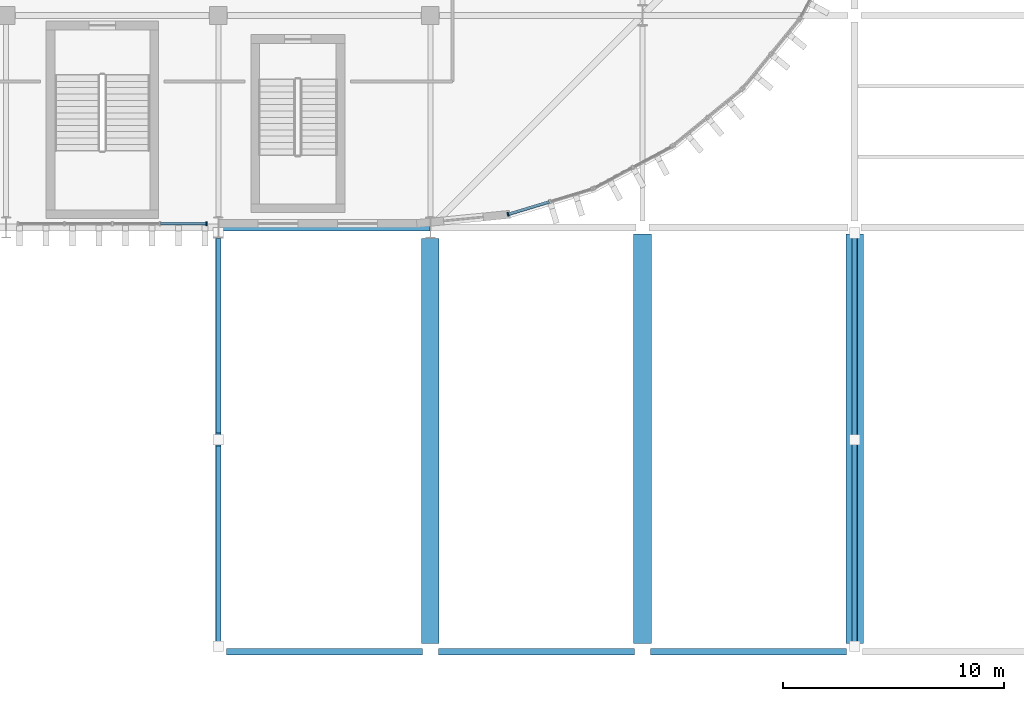
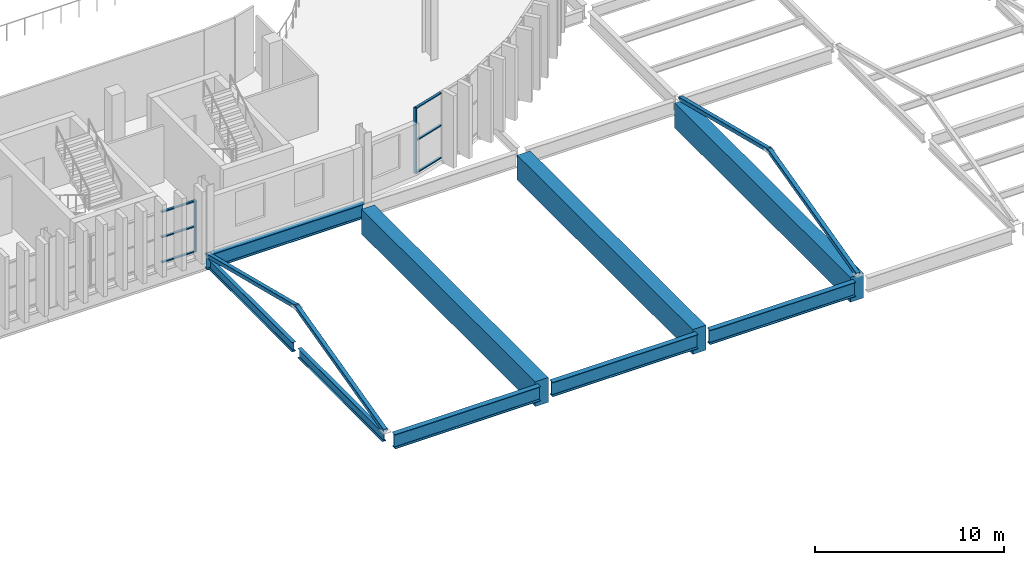
# One storey, part 17 of 75: 13 beams, 8 members, 2 elements without a shape of their own.
"""IFC4 building model written with IfcOpenShell, lengths in metres."""

from ifc_helpers import new_model, si_unit, direction, frame, origin, origin_2d, place, context, subcontext, project, spatial, rectangle, hollow_rectangle, i_section, extrude, material, layer, layer_set, material_profile, profile_set, type_object, element, aggregate, save


model = new_model("IFC4")

# Units and contexts
model_context = context("Model", 3, precision=1e-05, world=origin(), true_north=direction((0.0, 1.0)))
body_context = subcontext(model_context, "Body", "Model", "MODEL_VIEW")
ifc_project = project(units=[si_unit("LENGTHUNIT", "METRE"), si_unit("AREAUNIT", "SQUARE_METRE"), si_unit("VOLUMEUNIT", "CUBIC_METRE"), si_unit("PLANEANGLEUNIT", "RADIAN"), si_unit("MASSUNIT", "GRAM", prefix="KILO")], contexts=[model_context])

# Site, building, storey
site_placement = place(None, origin())
site = spatial("IfcSite", under=ifc_project, at=site_placement, CompositionType="ELEMENT")
building_placement = place(site_placement, origin())
building = spatial("IfcBuilding", under=site, at=building_placement, Name="Caelomonte Colonnade Arena", CompositionType="ELEMENT")
storey_placement = place(building_placement, frame((0.0, 0.0, 14.10009765625)))
storey = spatial("IfcBuildingStorey", under=building, at=storey_placement, Name="L03", CompositionType="ELEMENT", Elevation=14.10009765625)

# Curtain wall, member
ifc_material_1 = material(Name="Bronze anodised aluminium and low-E glazing", Category="aluminium")
ifc_layer_1 = layer(ifc_material_1, 0.179931640625)
ifc_layer_set_1 = layer_set([ifc_layer_1], Name="Bronze anodised aluminium and low-E glazing")
curtain_wall_type_1 = type_object("IfcCurtainWallType", Name="ENV-CW-CW-L03-96-33", PredefinedType="USERDEFINED", material=ifc_layer_set_1)
curtain_wall_1_placement = place(storey_placement, origin())
curtain_wall_1 = element("IfcCurtainWall", 1, at=curtain_wall_1_placement, inside=storey, type_object=curtain_wall_type_1, Name="L03 unitized curtain wall CW-L03-1296-0194", ObjectType="UNITIZED CURTAIN WALL", PredefinedType="USERDEFINED")
ifc_material_2 = material(Name="Bronze anodised aluminium AA6063-T6", Category="aluminium")
ifc_material_profile_1 = material_profile(ifc_material_2, rectangle(XDim=0.070068359375, YDim=0.179931640625, at=origin_2d()), Name="CWM-70X180")
ifc_profile_set_1 = profile_set([ifc_material_profile_1], Name="Bronze anodised aluminium AA6063-T6")
member_type_1 = type_object("IfcMemberType", Name="ENV-CW-MULL1", PredefinedType="MULLION", material=ifc_profile_set_1)
member_1_placement = place(storey_placement, frame((133.871337890625, 19.3798828125, 0.0), z_axis=(0.0, 0.0, 1.0), x_axis=(1.0, 0.0, 0.0)))
member_1 = element("IfcMember", 2, at=member_1_placement, type_object=member_type_1, Name="CW-L03-96-33 mullion 5", PredefinedType="MULLION", context=body_context, shape_type="SweptSolid", body=[
    extrude(rectangle(XDim=0.070068359375, YDim=0.179931640625, at=origin_2d()), origin(), (0.0, 0.0, 1.0), 3.312744140625),
])

ifc_layer_2 = layer(ifc_material_1, 0.179931640625)
ifc_layer_set_2 = layer_set([ifc_layer_2], Name="Bronze anodised aluminium and low-E glazing")
curtain_wall_type_2 = type_object("IfcCurtainWallType", Name="ENV-CW-CW-L03-44-42", PredefinedType="USERDEFINED", material=ifc_layer_set_2)
curtain_wall_2_placement = place(storey_placement, origin())
curtain_wall_2 = element("IfcCurtainWall", 3, at=curtain_wall_2_placement, inside=storey, type_object=curtain_wall_type_2, Name="L03 unitized curtain wall CW-L03-1494-0204", ObjectType="UNITIZED CURTAIN WALL", PredefinedType="USERDEFINED")
member_2_placement = place(storey_placement, frame((147.516357421875, 19.797607421875, 0.0), z_axis=(0.0, 0.0, 1.0), x_axis=(0.956949160999, 0.290255582655, 0.0)))
member_2 = element("IfcMember", 4, at=member_2_placement, type_object=member_type_1, Name="CW-L03-44-42 mullion 1", PredefinedType="MULLION", context=body_context, shape_type="SweptSolid", body=[
    extrude(rectangle(XDim=0.070068359375, YDim=0.179931640625, at=origin_2d()), origin(), (0.0, 0.0, 1.0), 4.239990234375),
])

# Member
ifc_material_profile_2 = material_profile(ifc_material_2, rectangle(XDim=0.070068359375, YDim=0.139892578125, at=origin_2d()), Name="CWT-70X140")
ifc_profile_set_2 = profile_set([ifc_material_profile_2], Name="Bronze anodised aluminium AA6063-T6")
member_type_2 = type_object("IfcMemberType", Name="ENV-CW-TRAN1", PredefinedType="USERDEFINED", material=ifc_profile_set_2)
member_3_placement = place(storey_placement, frame((131.7880859375, 19.3798828125, 0.034912109375), z_axis=(1.0, 0.0, 0.0), x_axis=(0.0, 0.0, 1.0)))
member_3 = element("IfcMember", 5, at=member_3_placement, type_object=member_type_2, Name="CW-L03-96-33 transom 4.1", ObjectType="TRANSOM", PredefinedType="USERDEFINED", context=body_context, shape_type="SweptSolid", body=[
    extrude(rectangle(XDim=0.070068359375, YDim=0.139892578125, at=origin_2d()), origin(), (0.0, 0.0, 1.0), 2.048095703125),
])

member_4_placement = place(storey_placement, frame((131.7880859375, 19.3798828125, 1.65625), z_axis=(1.0, 0.0, 0.0), x_axis=(0.0, 0.0, 1.0)))
member_4 = element("IfcMember", 6, at=member_4_placement, type_object=member_type_2, Name="CW-L03-96-33 transom 4.2", ObjectType="TRANSOM", PredefinedType="USERDEFINED", context=body_context, shape_type="SweptSolid", body=[
    extrude(rectangle(XDim=0.070068359375, YDim=0.139892578125, at=origin_2d()), origin(), (0.0, 0.0, 1.0), 2.048095703125),
])

member_5_placement = place(storey_placement, frame((131.7880859375, 19.3798828125, 3.277587890625), z_axis=(1.0, 0.0, 0.0), x_axis=(0.0, 0.0, 1.0)))
member_5 = element("IfcMember", 7, at=member_5_placement, type_object=member_type_2, Name="CW-L03-96-33 transom 4.3", ObjectType="TRANSOM", PredefinedType="USERDEFINED", context=body_context, shape_type="SweptSolid", body=[
    extrude(rectangle(XDim=0.070068359375, YDim=0.139892578125, at=origin_2d()), origin(), (0.0, 0.0, 1.0), 2.048095703125),
])

aggregate(curtain_wall_1, [member_1, member_3, member_4, member_5])

member_6_placement = place(storey_placement, frame((147.5498046875, 19.8076171875, 0.034912109375), z_axis=(0.956943884494, 0.290272978297, 0.0), x_axis=(0.0, 0.0, 1.0)))
member_6 = element("IfcMember", 8, at=member_6_placement, type_object=member_type_2, Name="CW-L03-44-42 transom 1.1", ObjectType="TRANSOM", PredefinedType="USERDEFINED", context=body_context, shape_type="SweptSolid", body=[
    extrude(rectangle(XDim=0.070068359375, YDim=0.139892578125, at=origin_2d()), origin(), (0.0, 0.0, 1.0), 1.913330078125),
])

member_7_placement = place(storey_placement, frame((147.5498046875, 19.8076171875, 2.119873046875), z_axis=(0.956943884494, 0.290272978297, 0.0), x_axis=(0.0, 0.0, 1.0)))
member_7 = element("IfcMember", 9, at=member_7_placement, type_object=member_type_2, Name="CW-L03-44-42 transom 1.2", ObjectType="TRANSOM", PredefinedType="USERDEFINED", context=body_context, shape_type="SweptSolid", body=[
    extrude(rectangle(XDim=0.070068359375, YDim=0.139892578125, at=origin_2d()), origin(), (0.0, 0.0, 1.0), 1.913330078125),
])

member_8_placement = place(storey_placement, frame((147.5498046875, 19.8076171875, 4.204833984375), z_axis=(0.956943884494, 0.290272978297, 0.0), x_axis=(0.0, 0.0, 1.0)))
member_8 = element("IfcMember", 10, at=member_8_placement, type_object=member_type_2, Name="CW-L03-44-42 transom 1.3", ObjectType="TRANSOM", PredefinedType="USERDEFINED", context=body_context, shape_type="SweptSolid", body=[
    extrude(rectangle(XDim=0.070068359375, YDim=0.139892578125, at=origin_2d()), origin(), (0.0, 0.0, 1.0), 1.913330078125),
])

aggregate(curtain_wall_2, [member_2, member_6, member_7, member_8])

# Beams
ifc_material_3 = material(Name="Wide-flange steel ASTM A992 Grade 50", Category="steel")
ifc_material_profile_3 = material_profile(ifc_material_3, i_section(OverallWidth=0.307861328125, OverallDepth=0.927001953125, WebThickness=0.019287109375, FlangeThickness=0.031982421875, FilletRadius=0.020263671875, at=origin_2d()), Name="W36X194")
ifc_profile_set_3 = profile_set([ifc_material_profile_3], Name="Wide-flange steel ASTM A992 Grade 50")
beam_type_1 = type_object("IfcBeamType", Name="STR-BM-EAVES2", PredefinedType="SPANDREL", material=ifc_profile_set_3)
for number, where, z_axis, x_axis, name in (
    (11, (134.76708984375, 0.0, -0.74365234375), (1.0, 0.0, 0.0), (0.0, 1.0, 0.0), "L03 girder BMX-L03-1344-0000"),
    (12, (144.366943359375, 0.0, -0.74365234375), (1.0, 0.0, 0.0), (0.0, 1.0, 0.0), "L03 girder BMX-L03-1440-0000"),
    (13, (153.967041015625, 0.0, -0.74365234375), (1.0, 0.0, 0.0), (0.0, 1.0, 0.0), "L03 girder BMX-L03-1536-0000"),
):
    element("IfcBeam", number, at=place(storey_placement, frame(where, z_axis=z_axis, x_axis=x_axis)), inside=storey, type_object=beam_type_1, Name=name, PredefinedType="SPANDREL", context=body_context, shape_type="SweptSolid", body=[
        extrude(i_section(OverallWidth=0.307861328125, OverallDepth=0.927001953125, WebThickness=0.019287109375, FlangeThickness=0.031982421875, FilletRadius=0.020263671875, at=origin_2d()), origin(), (0.0, 0.0, 1.0), 8.865966796875),
    ])
beam_1_placement = place(storey_placement, frame((134.411865234375, 19.199951171875, -0.74365234375), z_axis=(1.0, 0.0, 0.0), x_axis=(0.0, 1.0, 0.0)))
element("IfcBeam", 14, at=beam_1_placement, inside=storey, type_object=beam_type_1, Name="L03 girder BMX-L03-1344-0192", PredefinedType="SPANDREL", context=body_context, shape_type="SweptSolid", body=[
    extrude(i_section(OverallWidth=0.307861328125, OverallDepth=0.927001953125, WebThickness=0.019287109375, FlangeThickness=0.031982421875, FilletRadius=0.020263671875, at=origin_2d()), origin(), (0.0, 0.0, 1.0), 9.576416015625),
])
ifc_material_profile_4 = material_profile(ifc_material_3, i_section(OverallWidth=0.228271484375, OverallDepth=0.607177734375, WebThickness=0.01123046875, FlangeThickness=0.017333984375, FilletRadius=0.0126953125, at=origin_2d()), Name="W24X76")
ifc_profile_set_4 = profile_set([ifc_material_profile_4], Name="Wide-flange steel ASTM A992 Grade 50")
beam_type_2 = type_object("IfcBeamType", Name="STR-BM-GIRD24", PredefinedType="BEAM", material=ifc_profile_set_4)
beam_2_placement = place(storey_placement, frame((134.39990234375, 0.366943359375, -0.58349609375), z_axis=(0.0, 1.0, 0.0), x_axis=(-1.0, 0.0, 0.0)))
element("IfcBeam", 15, at=beam_2_placement, inside=storey, type_object=beam_type_2, Name="L03 girder BMY-L03-1344-0000", PredefinedType="BEAM", context=body_context, shape_type="SweptSolid", body=[
    extrude(i_section(OverallWidth=0.228271484375, OverallDepth=0.607177734375, WebThickness=0.01123046875, FlangeThickness=0.017333984375, FilletRadius=0.0126953125, at=origin_2d()), origin(), (0.0, 0.0, 1.0), 8.941162109375),
])
beam_3_placement = place(storey_placement, frame((134.39990234375, 9.89208984375, -0.58349609375), z_axis=(0.0, 1.0, 0.0), x_axis=(-1.0, 0.0, 0.0)))
element("IfcBeam", 16, at=beam_3_placement, inside=storey, type_object=beam_type_2, Name="L03 girder BMY-L03-1344-0096", PredefinedType="BEAM", context=body_context, shape_type="SweptSolid", body=[
    extrude(i_section(OverallWidth=0.228271484375, OverallDepth=0.607177734375, WebThickness=0.01123046875, FlangeThickness=0.017333984375, FilletRadius=0.0126953125, at=origin_2d()), origin(), (0.0, 0.0, 1.0), 8.810302734375),
])
ifc_material_4 = material(Name="Steel ASTM A500 Grade C", Category="steel")
ifc_material_profile_5 = material_profile(ifc_material_4, hollow_rectangle(XDim=0.25390625, YDim=0.25390625, WallThickness=0.009521484375, InnerFilletRadius=0.009521484375, OuterFilletRadius=0.01904296875, at=origin_2d()), Name="HSS254X254X9.5")
ifc_profile_set_5 = profile_set([ifc_material_profile_5], Name="Steel ASTM A500 Grade C")
beam_type_3 = type_object("IfcBeamType", Name="STR-BM-PED1", PredefinedType="BEAM", material=ifc_profile_set_5)
for number, where, z_axis, x_axis, name in (
    (17, (134.39990234375, 0.251953125, -0.149658203125), (0.0, 0.969834734998, 0.243763382795), (-1.0, 0.0, 0.0), "Pediment rafter beam S-134"),
    (18, (134.39990234375, 18.947998046875, -0.149658203125), (0.0, -0.969834734998, 0.243763382795), (1.0, 0.0, 0.0), "Pediment rafter beam N-134"),
    (19, (163.199951171875, 0.251953125, -0.149658203125), (0.0, 0.969834734998, 0.243763382795), (-1.0, 0.0, 0.0), "Pediment rafter beam S-163"),
    (20, (163.199951171875, 18.947998046875, -0.149658203125), (0.0, -0.969834734998, 0.243763382795), (1.0, 0.0, 0.0), "Pediment rafter beam N-163"),
):
    element("IfcBeam", number, at=place(storey_placement, frame(where, z_axis=z_axis, x_axis=x_axis)), inside=storey, type_object=beam_type_3, Name=name, PredefinedType="BEAM", context=body_context, shape_type="SweptSolid", body=[
        extrude(hollow_rectangle(XDim=0.25390625, YDim=0.25390625, WallThickness=0.009521484375, InnerFilletRadius=0.009521484375, OuterFilletRadius=0.01904296875, at=origin_2d()), origin(), (0.0, 0.0, 1.0), 9.636962890625),
    ])
ifc_material_5 = material(Name="Concrete C50/60", Category="concrete")
ifc_material_profile_6 = material_profile(ifc_material_5, rectangle(XDim=0.800048828125, YDim=1.60009765625, at=origin_2d()), Name="RC800X1600")
ifc_profile_set_6 = profile_set([ifc_material_profile_6], Name="Concrete C50/60")
beam_type_4 = type_object("IfcBeamType", Name="STR-BM-TG16", PredefinedType="USERDEFINED", material=ifc_profile_set_6)
beam_4_placement = place(storey_placement, frame((144.0, 0.366943359375, -1.080078125), z_axis=(0.0, 1.0, 0.0), x_axis=(-1.0, 0.0, 0.0)))
element("IfcBeam", 21, at=beam_4_placement, inside=storey, type_object=beam_type_4, Name="L03 Transfer Girder BMY-L03-1440-0000", ObjectType="TRANSFER GIRDER", PredefinedType="USERDEFINED", context=body_context, shape_type="SweptSolid", body=[
    extrude(rectangle(XDim=0.800048828125, YDim=1.60009765625, at=origin_2d()), origin(), (0.0, 0.0, 1.0), 18.33544921875),
])
for number, where, z_axis, x_axis, name in (
    (22, (153.60009765625, 0.366943359375, -1.080078125), (0.0, 1.0, 0.0), (-1.0, 0.0, 0.0), "L03 Transfer Girder BMY-L03-1536-0000"),
    (23, (163.199951171875, 0.366943359375, -1.080078125), (0.0, 1.0, 0.0), (-1.0, 0.0, 0.0), "L03 Transfer Girder BMY-L03-1632-0000"),
):
    element("IfcBeam", number, at=place(storey_placement, frame(where, z_axis=z_axis, x_axis=x_axis)), inside=storey, type_object=beam_type_4, Name=name, ObjectType="TRANSFER GIRDER", PredefinedType="USERDEFINED", context=body_context, shape_type="SweptSolid", body=[
        extrude(rectangle(XDim=0.800048828125, YDim=1.60009765625, at=origin_2d()), origin(), (0.0, 0.0, 1.0), 18.541015625),
    ])

save(model, "model.ifc")
